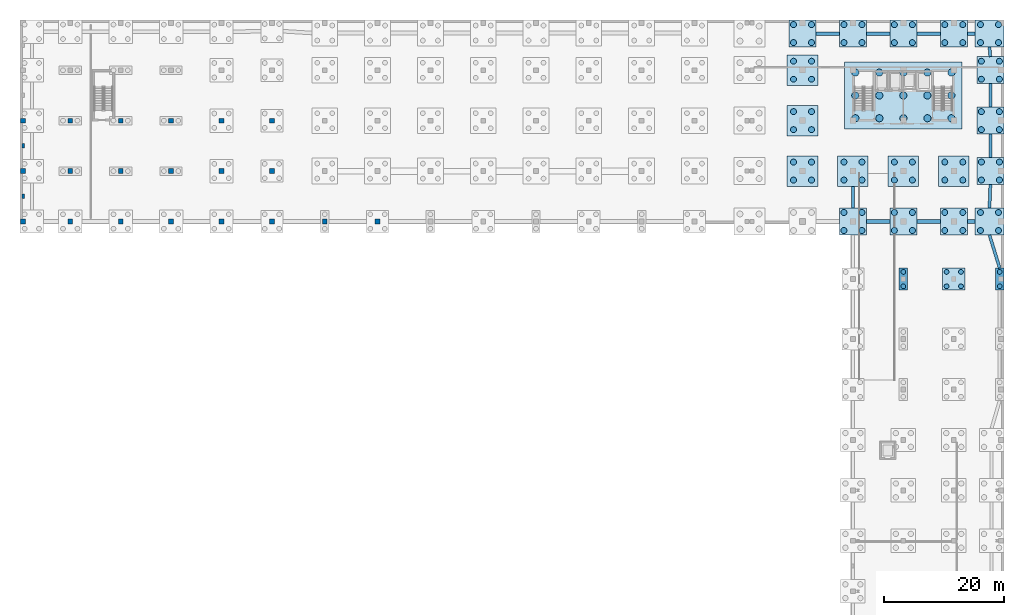
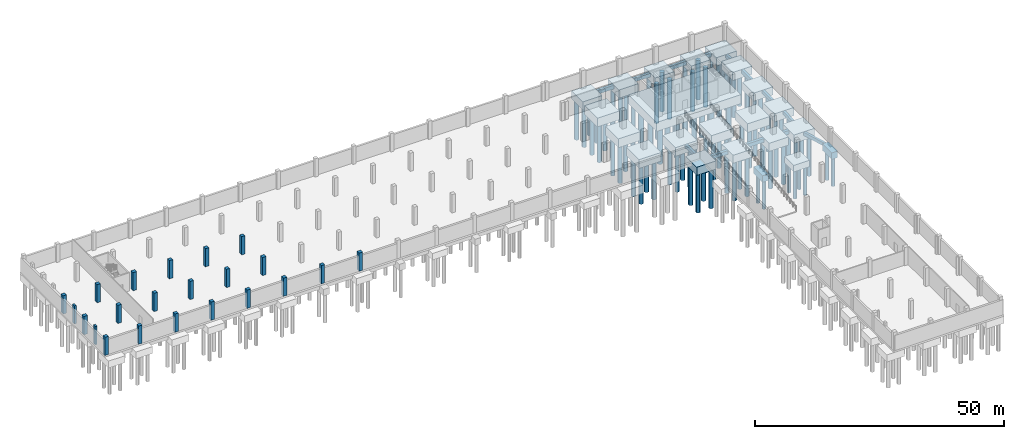
# One storey, part 4 of 18: 95 piles, 35 footings, 22 columns.
"""IFC4 building model written with IfcOpenShell, lengths in metres."""

from ifc_helpers import new_model, si_unit, direction, frame, origin, origin_2d, place, context, subcontext, project, spatial, rectangle, circle, extrude, material, material_profile, profile_set, type_object, element, save


model = new_model("IFC4")

# Units and contexts
model_context = context("Model", 3, precision=1e-05, world=origin(), true_north=direction((0.0, 1.0)))
body_context = subcontext(model_context, "Body", "Model", "MODEL_VIEW")
ifc_project = project(units=[si_unit("LENGTHUNIT", "METRE"), si_unit("AREAUNIT", "SQUARE_METRE"), si_unit("VOLUMEUNIT", "CUBIC_METRE"), si_unit("PLANEANGLEUNIT", "RADIAN"), si_unit("MASSUNIT", "GRAM", prefix="KILO")], contexts=[model_context])

# Site, building, storey
site_placement = place(None, origin())
site = spatial("IfcSite", under=ifc_project, at=site_placement, CompositionType="ELEMENT")
building_placement = place(site_placement, origin())
building = spatial("IfcBuilding", under=site, at=building_placement, Name="Brinegate Botanical Conservatory", CompositionType="ELEMENT")
storey_placement = place(building_placement, frame((0.0, 0.0, -9.60009765625)))
storey = spatial("IfcBuildingStorey", under=building, at=storey_placement, Name="B2", CompositionType="ELEMENT", Elevation=-9.60009765625)

# Footings
ifc_material_1 = material(Name="Concrete C40/50", Category="concrete")
ifc_material_profile_1 = material_profile(ifc_material_1, rectangle(XDim=0.60009765625, YDim=0.89990234375, at=origin_2d()), Name="RC GB 600x900")
ifc_profile_set_1 = profile_set([ifc_material_profile_1], Name="Concrete C40/50")
footing_type_1 = type_object("IfcFootingType", Name="Footing_FB-01", PredefinedType="FOOTING_BEAM", material=ifc_profile_set_1)
footing_1_placement = place(storey_placement, frame((141.050048828125, 78.39990234375, -0.849853515625), z_axis=(1.0, 0.0, 0.0), x_axis=(0.0, 1.0, 0.0)))
element("IfcFooting", 1, at=footing_1_placement, inside=storey, type_object=footing_type_1, Name="Foundation tie beam K:18-19", PredefinedType="FOOTING_BEAM", context=body_context, shape_type="SweptSolid", body=[
    extrude(rectangle(XDim=0.60009765625, YDim=0.89990234375, at=origin_2d()), origin(), (0.0, 0.0, 1.0), 3.89990234375),
])
footing_2_placement = place(storey_placement, frame((149.449951171875, 78.39990234375, -0.849853515625), z_axis=(1.0, 0.0, 0.0), x_axis=(0.0, 1.0, 0.0)))
element("IfcFooting", 2, at=footing_2_placement, inside=storey, type_object=footing_type_1, Name="Foundation tie beam K:19-20", PredefinedType="FOOTING_BEAM", context=body_context, shape_type="SweptSolid", body=[
    extrude(rectangle(XDim=0.60009765625, YDim=0.89990234375, at=origin_2d()), origin(), (0.0, 0.0, 1.0), 3.900146484375),
])
footing_3_placement = place(storey_placement, frame((157.85009765625, 78.39990234375, -0.849853515625), z_axis=(1.0, 0.0, 0.0), x_axis=(0.0, 1.0, 0.0)))
element("IfcFooting", 3, at=footing_3_placement, inside=storey, type_object=footing_type_1, Name="Foundation tie beam K:20-21", PredefinedType="FOOTING_BEAM", context=body_context, shape_type="SweptSolid", body=[
    extrude(rectangle(XDim=0.60009765625, YDim=0.89990234375, at=origin_2d()), origin(), (0.0, 0.0, 1.0), 1.2998046875),
])
footing_4_placement = place(storey_placement, frame((132.64990234375, 109.699951171875, -0.849853515625), z_axis=(1.0, 0.0, 0.0), x_axis=(0.0, 1.0, 0.0)))
element("IfcFooting", 4, at=footing_4_placement, inside=storey, type_object=footing_type_1, Name="Foundation tie beam P:17-18", PredefinedType="FOOTING_BEAM", context=body_context, shape_type="SweptSolid", body=[
    extrude(rectangle(XDim=0.60009765625, YDim=0.89990234375, at=origin_2d()), origin(), (0.0, 0.0, 1.0), 3.900146484375),
])
footing_5_placement = place(storey_placement, frame((141.050048828125, 109.699951171875, -0.849853515625), z_axis=(1.0, 0.0, 0.0), x_axis=(0.0, 1.0, 0.0)))
element("IfcFooting", 5, at=footing_5_placement, inside=storey, type_object=footing_type_1, Name="Foundation tie beam P:18-19", PredefinedType="FOOTING_BEAM", context=body_context, shape_type="SweptSolid", body=[
    extrude(rectangle(XDim=0.60009765625, YDim=0.89990234375, at=origin_2d()), origin(), (0.0, 0.0, 1.0), 3.89990234375),
])
footing_6_placement = place(storey_placement, frame((149.449951171875, 109.699951171875, -0.849853515625), z_axis=(1.0, 0.0, 0.0), x_axis=(0.0, 1.0, 0.0)))
element("IfcFooting", 6, at=footing_6_placement, inside=storey, type_object=footing_type_1, Name="Foundation tie beam P:19-20", PredefinedType="FOOTING_BEAM", context=body_context, shape_type="SweptSolid", body=[
    extrude(rectangle(XDim=0.60009765625, YDim=0.89990234375, at=origin_2d()), origin(), (0.0, 0.0, 1.0), 3.900146484375),
])
footing_7_placement = place(storey_placement, frame((157.85009765625, 109.699951171875, -0.849853515625), z_axis=(1.0, 0.0, 0.0), x_axis=(0.0, 1.0, 0.0)))
element("IfcFooting", 7, at=footing_7_placement, inside=storey, type_object=footing_type_1, Name="Foundation tie beam P:20-21", PredefinedType="FOOTING_BEAM", context=body_context, shape_type="SweptSolid", body=[
    extrude(rectangle(XDim=0.60009765625, YDim=0.89990234375, at=origin_2d()), origin(), (0.0, 0.0, 1.0), 1.2998046875),
])
ifc_material_profile_2 = material_profile(ifc_material_1, rectangle(XDim=0.5, YDim=0.800048828125, at=origin_2d()), Name="RC GB 500x800")
ifc_profile_set_2 = profile_set([ifc_material_profile_2], Name="Concrete C40/50")
footing_type_2 = type_object("IfcFootingType", Name="Footing_FB-02", PredefinedType="FOOTING_BEAM", material=ifc_profile_set_2)
footing_8_placement = place(storey_placement, frame((138.800048828125, 80.64990234375, -0.7998046875), z_axis=(0.0, 1.0, 0.0), x_axis=(-1.0, 0.0, 0.0)))
element("IfcFooting", 8, at=footing_8_placement, inside=storey, type_object=footing_type_2, Name="Foundation tie beam 18:K-L", PredefinedType="FOOTING_BEAM", context=body_context, shape_type="SweptSolid", body=[
    extrude(rectangle(XDim=0.5, YDim=0.800048828125, at=origin_2d()), origin(), (0.0, 0.0, 1.0), 3.60009765625),
])
footing_9_placement = place(storey_placement, frame((163.25, 70.64990234375, -0.7998046875), z_axis=(-0.295298528579, 0.955405034014, 0.0), x_axis=(-0.955405034014, -0.295298528579, 0.0)))
element("IfcFooting", 9, at=footing_9_placement, inside=storey, type_object=footing_type_2, Name="Foundation tie beam 21:J-K", PredefinedType="FOOTING_BEAM", context=body_context, shape_type="SweptSolid", body=[
    extrude(rectangle(XDim=0.5, YDim=0.800048828125, at=origin_2d()), origin(), (0.0, 0.0, 1.0), 5.7568359375),
])
footing_10_placement = place(storey_placement, frame((161.550048828125, 80.64990234375, -0.7998046875), z_axis=(0.03840669703, 0.99926219063, 0.0), x_axis=(-0.99926219063, 0.03840669703, 0.0)))
element("IfcFooting", 10, at=footing_10_placement, inside=storey, type_object=footing_type_2, Name="Foundation tie beam 21:K-L", PredefinedType="FOOTING_BEAM", context=body_context, shape_type="SweptSolid", body=[
    extrude(rectangle(XDim=0.5, YDim=0.800048828125, at=origin_2d()), origin(), (0.0, 0.0, 1.0), 3.903076171875),
])
footing_11_placement = place(storey_placement, frame((161.699951171875, 89.050048828125, -0.7998046875), z_axis=(0.0, 1.0, 0.0), x_axis=(-1.0, 0.0, 0.0)))
element("IfcFooting", 11, at=footing_11_placement, inside=storey, type_object=footing_type_2, Name="Foundation tie beam 21:L-M", PredefinedType="FOOTING_BEAM", context=body_context, shape_type="SweptSolid", body=[
    extrude(rectangle(XDim=0.5, YDim=0.800048828125, at=origin_2d()), origin(), (0.0, 0.0, 1.0), 3.89990234375),
])
footing_12_placement = place(storey_placement, frame((161.699951171875, 97.449951171875, -0.7998046875), z_axis=(0.0, 1.0, 0.0), x_axis=(-1.0, 0.0, 0.0)))
element("IfcFooting", 12, at=footing_12_placement, inside=storey, type_object=footing_type_2, Name="Foundation tie beam 21:M-N", PredefinedType="FOOTING_BEAM", context=body_context, shape_type="SweptSolid", body=[
    extrude(rectangle(XDim=0.5, YDim=0.800048828125, at=origin_2d()), origin(), (0.0, 0.0, 1.0), 3.900146484375),
])
footing_13_placement = place(storey_placement, frame((161.699951171875, 105.85009765625, -0.7998046875), z_axis=(-0.093288935474, 0.995639078441, 0.0), x_axis=(-0.995639078441, -0.093288935474, 0.0)))
element("IfcFooting", 13, at=footing_13_placement, inside=storey, type_object=footing_type_2, Name="Foundation tie beam 21:N-P", PredefinedType="FOOTING_BEAM", context=body_context, shape_type="SweptSolid", body=[
    extrude(rectangle(XDim=0.5, YDim=0.800048828125, at=origin_2d()), origin(), (0.0, 0.0, 1.0), 1.60693359375),
])
footing_type_3 = type_object("IfcFootingType", Name="Footing_PC-02", PredefinedType="PILE_CAP", material=ifc_material_1)
for number, where, z_axis, x_axis, name in (
    (14, (147.199951171875, 68.800048828125, -2.0), (0.0, 0.0, 1.0), (1.0, 0.0, 0.0), "Pile cap PC-02 at J-19"),
    (15, (163.25, 68.800048828125, -2.0), (0.0, 0.0, 1.0), (1.0, 0.0, 0.0), "Pile cap PC-02 at J-21"),
):
    element("IfcFooting", number, at=place(storey_placement, frame(where, z_axis=z_axis, x_axis=x_axis)), inside=storey, type_object=footing_type_3, Name=name, PredefinedType="PILE_CAP", context=body_context, shape_type="SweptSolid", body=[
        extrude(rectangle(XDim=1.39990234375, YDim=3.699951171875, at=origin_2d()), origin(), (0.0, 0.0, 1.0), 1.60009765625),
    ])
footing_type_4 = type_object("IfcFootingType", Name="Footing_PC-03", PredefinedType="PILE_CAP", material=ifc_material_1)
footing_14_placement = place(storey_placement, frame((155.60009765625, 68.800048828125, -2.0), z_axis=(0.0, 0.0, 1.0), x_axis=(1.0, 0.0, 0.0)))
element("IfcFooting", 16, at=footing_14_placement, inside=storey, type_object=footing_type_4, Name="Pile cap PC-03 at J-20", PredefinedType="PILE_CAP", context=body_context, shape_type="SweptSolid", body=[
    extrude(rectangle(XDim=3.699951171875, YDim=3.699951171875, at=origin_2d()), origin(), (0.0, 0.0, 1.0), 1.60009765625),
])
footing_type_5 = type_object("IfcFootingType", Name="Footing_PC-07", PredefinedType="PILE_CAP", material=ifc_material_1)
for number, where, z_axis, x_axis, name in (
    (17, (130.39990234375, 109.699951171875, -2.39990234375), (0.0, 0.0, 1.0), (1.0, 0.0, 0.0), "Pile cap PC-07 at P-17"),
    (18, (138.800048828125, 78.39990234375, -2.39990234375), (0.0, 0.0, 1.0), (1.0, 0.0, 0.0), "Pile cap PC-07 at K-18"),
    (19, (138.800048828125, 109.699951171875, -2.39990234375), (0.0, 0.0, 1.0), (1.0, 0.0, 0.0), "Pile cap PC-07 at P-18"),
    (20, (147.199951171875, 78.39990234375, -2.39990234375), (0.0, 0.0, 1.0), (1.0, 0.0, 0.0), "Pile cap PC-07 at K-19"),
    (21, (147.199951171875, 109.699951171875, -2.39990234375), (0.0, 0.0, 1.0), (1.0, 0.0, 0.0), "Pile cap PC-07 at P-19"),
    (22, (155.60009765625, 78.39990234375, -2.39990234375), (0.0, 0.0, 1.0), (1.0, 0.0, 0.0), "Pile cap PC-07 at K-20"),
    (23, (155.60009765625, 109.699951171875, -2.39990234375), (0.0, 0.0, 1.0), (1.0, 0.0, 0.0), "Pile cap PC-07 at P-20"),
    (24, (161.699951171875, 86.800048828125, -2.39990234375), (0.0, 0.0, 1.0), (1.0, 0.0, 0.0), "Pile cap PC-07 at L-21"),
    (25, (161.699951171875, 95.199951171875, -2.39990234375), (0.0, 0.0, 1.0), (1.0, 0.0, 0.0), "Pile cap PC-07 at M-21"),
    (26, (161.699951171875, 103.60009765625, -2.39990234375), (0.0, 0.0, 1.0), (1.0, 0.0, 0.0), "Pile cap PC-07 at N-21"),
):
    element("IfcFooting", number, at=place(storey_placement, frame(where, z_axis=z_axis, x_axis=x_axis)), inside=storey, type_object=footing_type_5, Name=name, PredefinedType="PILE_CAP", context=body_context, shape_type="SweptSolid", body=[
        extrude(rectangle(XDim=4.5, YDim=4.5, at=origin_2d()), origin(), (0.0, 0.0, 1.0), 2.0),
    ])
footing_type_6 = type_object("IfcFootingType", Name="Footing_PC-08", PredefinedType="PILE_CAP", material=ifc_material_1)
for number, where, z_axis, x_axis, name in (
    (27, (161.550048828125, 78.39990234375, -2.44970703125), (0.0, 0.0, 1.0), (1.0, 0.0, 0.0), "Pile cap PC-08 at K-21"),
    (28, (161.550048828125, 109.699951171875, -2.44970703125), (0.0, 0.0, 1.0), (1.0, 0.0, 0.0), "Pile cap PC-08 at P-21"),
):
    element("IfcFooting", number, at=place(storey_placement, frame(where, z_axis=z_axis, x_axis=x_axis)), inside=storey, type_object=footing_type_6, Name=name, PredefinedType="PILE_CAP", context=body_context, shape_type="SweptSolid", body=[
        extrude(rectangle(XDim=4.800048828125, YDim=4.5, at=origin_2d()), origin(), (0.0, 0.0, 1.0), 2.050048828125),
    ])
footing_type_7 = type_object("IfcFootingType", Name="Footing_PC-09", PredefinedType="PILE_CAP", material=ifc_material_1)
for number, where, z_axis, x_axis, name in (
    (29, (130.39990234375, 86.800048828125, -2.5498046875), (0.0, 0.0, 1.0), (1.0, 0.0, 0.0), "Pile cap PC-09 at L-17"),
    (30, (130.39990234375, 95.199951171875, -2.5498046875), (0.0, 0.0, 1.0), (1.0, 0.0, 0.0), "Pile cap PC-09 at M-17"),
    (31, (130.39990234375, 103.60009765625, -2.5498046875), (0.0, 0.0, 1.0), (1.0, 0.0, 0.0), "Pile cap PC-09 at N-17"),
    (32, (138.800048828125, 86.800048828125, -2.5498046875), (0.0, 0.0, 1.0), (1.0, 0.0, 0.0), "Pile cap PC-09 at L-18"),
    (33, (147.199951171875, 86.800048828125, -2.5498046875), (0.0, 0.0, 1.0), (1.0, 0.0, 0.0), "Pile cap PC-09 at L-19"),
    (34, (155.60009765625, 86.800048828125, -2.5498046875), (0.0, 0.0, 1.0), (1.0, 0.0, 0.0), "Pile cap PC-09 at L-20"),
):
    element("IfcFooting", number, at=place(storey_placement, frame(where, z_axis=z_axis, x_axis=x_axis)), inside=storey, type_object=footing_type_7, Name=name, PredefinedType="PILE_CAP", context=body_context, shape_type="SweptSolid", body=[
        extrude(rectangle(XDim=5.10009765625, YDim=5.10009765625, at=origin_2d()), origin(), (0.0, 0.0, 1.0), 2.14990234375),
    ])
footing_type_8 = type_object("IfcFootingType", Name="Footing_PC-CR1", PredefinedType="PILE_CAP", material=ifc_material_1)
footing_15_placement = place(storey_placement, frame((147.199951171875, 99.39990234375, -2.60009765625), z_axis=(0.0, 0.0, 1.0), x_axis=(1.0, 0.0, 0.0)))
element("IfcFooting", 35, at=footing_15_placement, inside=storey, type_object=footing_type_8, Name="Tower core pile raft cap PC-CR1", PredefinedType="PILE_CAP", context=body_context, shape_type="SweptSolid", body=[
    extrude(rectangle(XDim=19.60009765625, YDim=11.199951171875, at=origin_2d()), origin(), (0.0, 0.0, 1.0), 2.199951171875),
])

# Piles
ifc_material_profile_3 = material_profile(ifc_material_1, circle(Radius=0.5, at=origin_2d()), Name="PILE D1000")
ifc_profile_set_3 = profile_set([ifc_material_profile_3], Name="Concrete C40/50")
pile_type_1 = type_object("IfcPileType", Name="Pile_PL-1000", PredefinedType="BORED", material=ifc_profile_set_3)
for number, where, z_axis, x_axis, name in (
    (36, (128.89990234375, 85.300048828125, -2.449951171875), (0.0, 0.0, -1.0), (1.0, 0.0, 0.0), "Bored pile L-17.1"),
    (37, (131.89990234375, 85.300048828125, -2.449951171875), (0.0, 0.0, -1.0), (1.0, 0.0, 0.0), "Bored pile L-17.2"),
    (38, (128.89990234375, 88.300048828125, -2.449951171875), (0.0, 0.0, -1.0), (1.0, 0.0, 0.0), "Bored pile L-17.3"),
    (39, (131.89990234375, 88.300048828125, -2.449951171875), (0.0, 0.0, -1.0), (1.0, 0.0, 0.0), "Bored pile L-17.4"),
    (40, (128.89990234375, 93.699951171875, -2.449951171875), (0.0, 0.0, -1.0), (1.0, 0.0, 0.0), "Bored pile M-17.1"),
    (41, (131.89990234375, 93.699951171875, -2.449951171875), (0.0, 0.0, -1.0), (1.0, 0.0, 0.0), "Bored pile M-17.2"),
    (42, (128.89990234375, 96.699951171875, -2.449951171875), (0.0, 0.0, -1.0), (1.0, 0.0, 0.0), "Bored pile M-17.3"),
    (43, (131.89990234375, 96.699951171875, -2.449951171875), (0.0, 0.0, -1.0), (1.0, 0.0, 0.0), "Bored pile M-17.4"),
    (44, (128.89990234375, 102.10009765625, -2.449951171875), (0.0, 0.0, -1.0), (1.0, 0.0, 0.0), "Bored pile N-17.1"),
    (45, (131.89990234375, 102.10009765625, -2.449951171875), (0.0, 0.0, -1.0), (1.0, 0.0, 0.0), "Bored pile N-17.2"),
    (46, (128.89990234375, 105.10009765625, -2.449951171875), (0.0, 0.0, -1.0), (1.0, 0.0, 0.0), "Bored pile N-17.3"),
    (47, (131.89990234375, 105.10009765625, -2.449951171875), (0.0, 0.0, -1.0), (1.0, 0.0, 0.0), "Bored pile N-17.4"),
):
    element("IfcPile", number, at=place(storey_placement, frame(where, z_axis=z_axis, x_axis=x_axis)), inside=storey, type_object=pile_type_1, Name=name, PredefinedType="BORED", context=body_context, shape_type="SweptSolid", body=[
        extrude(circle(Radius=0.5, at=origin_2d()), origin(), (0.0, 0.0, 1.0), 9.550048828125),
    ])
for number, where, z_axis, x_axis, name in (
    (48, (128.89990234375, 108.199951171875, -2.2998046875), (0.0, 0.0, -1.0), (1.0, 0.0, 0.0), "Bored pile P-17.1"),
    (49, (131.89990234375, 108.199951171875, -2.2998046875), (0.0, 0.0, -1.0), (1.0, 0.0, 0.0), "Bored pile P-17.2"),
    (50, (128.89990234375, 111.199951171875, -2.2998046875), (0.0, 0.0, -1.0), (1.0, 0.0, 0.0), "Bored pile P-17.3"),
    (51, (131.89990234375, 111.199951171875, -2.2998046875), (0.0, 0.0, -1.0), (1.0, 0.0, 0.0), "Bored pile P-17.4"),
    (52, (137.300048828125, 76.89990234375, -2.2998046875), (0.0, 0.0, -1.0), (1.0, 0.0, 0.0), "Bored pile K-18.1"),
    (53, (140.300048828125, 76.89990234375, -2.2998046875), (0.0, 0.0, -1.0), (1.0, 0.0, 0.0), "Bored pile K-18.2"),
    (54, (137.300048828125, 79.89990234375, -2.2998046875), (0.0, 0.0, -1.0), (1.0, 0.0, 0.0), "Bored pile K-18.3"),
    (55, (140.300048828125, 79.89990234375, -2.2998046875), (0.0, 0.0, -1.0), (1.0, 0.0, 0.0), "Bored pile K-18.4"),
):
    element("IfcPile", number, at=place(storey_placement, frame(where, z_axis=z_axis, x_axis=x_axis)), inside=storey, type_object=pile_type_1, Name=name, PredefinedType="BORED", context=body_context, shape_type="SweptSolid", body=[
        extrude(circle(Radius=0.5, at=origin_2d()), origin(), (0.0, 0.0, 1.0), 9.699951171875),
    ])
for number, where, z_axis, x_axis, name in (
    (56, (137.300048828125, 85.300048828125, -2.449951171875), (0.0, 0.0, -1.0), (1.0, 0.0, 0.0), "Bored pile L-18.1"),
    (57, (140.300048828125, 85.300048828125, -2.449951171875), (0.0, 0.0, -1.0), (1.0, 0.0, 0.0), "Bored pile L-18.2"),
    (58, (137.300048828125, 88.300048828125, -2.449951171875), (0.0, 0.0, -1.0), (1.0, 0.0, 0.0), "Bored pile L-18.3"),
    (59, (140.300048828125, 88.300048828125, -2.449951171875), (0.0, 0.0, -1.0), (1.0, 0.0, 0.0), "Bored pile L-18.4"),
):
    element("IfcPile", number, at=place(storey_placement, frame(where, z_axis=z_axis, x_axis=x_axis)), inside=storey, type_object=pile_type_1, Name=name, PredefinedType="BORED", context=body_context, shape_type="SweptSolid", body=[
        extrude(circle(Radius=0.5, at=origin_2d()), origin(), (0.0, 0.0, 1.0), 9.550048828125),
    ])
for number, where, z_axis, x_axis, name in (
    (60, (137.300048828125, 108.199951171875, -2.2998046875), (0.0, 0.0, -1.0), (1.0, 0.0, 0.0), "Bored pile P-18.1"),
    (61, (140.300048828125, 108.199951171875, -2.2998046875), (0.0, 0.0, -1.0), (1.0, 0.0, 0.0), "Bored pile P-18.2"),
    (62, (137.300048828125, 111.199951171875, -2.2998046875), (0.0, 0.0, -1.0), (1.0, 0.0, 0.0), "Bored pile P-18.3"),
    (63, (140.300048828125, 111.199951171875, -2.2998046875), (0.0, 0.0, -1.0), (1.0, 0.0, 0.0), "Bored pile P-18.4"),
    (64, (145.699951171875, 76.89990234375, -2.2998046875), (0.0, 0.0, -1.0), (1.0, 0.0, 0.0), "Bored pile K-19.1"),
    (65, (148.699951171875, 76.89990234375, -2.2998046875), (0.0, 0.0, -1.0), (1.0, 0.0, 0.0), "Bored pile K-19.2"),
    (66, (145.699951171875, 79.89990234375, -2.2998046875), (0.0, 0.0, -1.0), (1.0, 0.0, 0.0), "Bored pile K-19.3"),
    (67, (148.699951171875, 79.89990234375, -2.2998046875), (0.0, 0.0, -1.0), (1.0, 0.0, 0.0), "Bored pile K-19.4"),
):
    element("IfcPile", number, at=place(storey_placement, frame(where, z_axis=z_axis, x_axis=x_axis)), inside=storey, type_object=pile_type_1, Name=name, PredefinedType="BORED", context=body_context, shape_type="SweptSolid", body=[
        extrude(circle(Radius=0.5, at=origin_2d()), origin(), (0.0, 0.0, 1.0), 9.699951171875),
    ])
for number, where, z_axis, x_axis, name in (
    (68, (145.699951171875, 85.300048828125, -2.449951171875), (0.0, 0.0, -1.0), (1.0, 0.0, 0.0), "Bored pile L-19.1"),
    (69, (148.699951171875, 85.300048828125, -2.449951171875), (0.0, 0.0, -1.0), (1.0, 0.0, 0.0), "Bored pile L-19.2"),
    (70, (145.699951171875, 88.300048828125, -2.449951171875), (0.0, 0.0, -1.0), (1.0, 0.0, 0.0), "Bored pile L-19.3"),
    (71, (148.699951171875, 88.300048828125, -2.449951171875), (0.0, 0.0, -1.0), (1.0, 0.0, 0.0), "Bored pile L-19.4"),
):
    element("IfcPile", number, at=place(storey_placement, frame(where, z_axis=z_axis, x_axis=x_axis)), inside=storey, type_object=pile_type_1, Name=name, PredefinedType="BORED", context=body_context, shape_type="SweptSolid", body=[
        extrude(circle(Radius=0.5, at=origin_2d()), origin(), (0.0, 0.0, 1.0), 9.550048828125),
    ])
for number, where, z_axis, x_axis, name in (
    (72, (145.699951171875, 108.199951171875, -2.2998046875), (0.0, 0.0, -1.0), (1.0, 0.0, 0.0), "Bored pile P-19.1"),
    (73, (148.699951171875, 108.199951171875, -2.2998046875), (0.0, 0.0, -1.0), (1.0, 0.0, 0.0), "Bored pile P-19.2"),
    (74, (145.699951171875, 111.199951171875, -2.2998046875), (0.0, 0.0, -1.0), (1.0, 0.0, 0.0), "Bored pile P-19.3"),
    (75, (148.699951171875, 111.199951171875, -2.2998046875), (0.0, 0.0, -1.0), (1.0, 0.0, 0.0), "Bored pile P-19.4"),
    (76, (154.10009765625, 76.89990234375, -2.2998046875), (0.0, 0.0, -1.0), (1.0, 0.0, 0.0), "Bored pile K-20.1"),
    (77, (157.10009765625, 76.89990234375, -2.2998046875), (0.0, 0.0, -1.0), (1.0, 0.0, 0.0), "Bored pile K-20.2"),
    (78, (154.10009765625, 79.89990234375, -2.2998046875), (0.0, 0.0, -1.0), (1.0, 0.0, 0.0), "Bored pile K-20.3"),
    (79, (157.10009765625, 79.89990234375, -2.2998046875), (0.0, 0.0, -1.0), (1.0, 0.0, 0.0), "Bored pile K-20.4"),
):
    element("IfcPile", number, at=place(storey_placement, frame(where, z_axis=z_axis, x_axis=x_axis)), inside=storey, type_object=pile_type_1, Name=name, PredefinedType="BORED", context=body_context, shape_type="SweptSolid", body=[
        extrude(circle(Radius=0.5, at=origin_2d()), origin(), (0.0, 0.0, 1.0), 9.699951171875),
    ])
for number, where, z_axis, x_axis, name in (
    (80, (154.10009765625, 85.300048828125, -2.449951171875), (0.0, 0.0, -1.0), (1.0, 0.0, 0.0), "Bored pile L-20.1"),
    (81, (157.10009765625, 85.300048828125, -2.449951171875), (0.0, 0.0, -1.0), (1.0, 0.0, 0.0), "Bored pile L-20.2"),
    (82, (154.10009765625, 88.300048828125, -2.449951171875), (0.0, 0.0, -1.0), (1.0, 0.0, 0.0), "Bored pile L-20.3"),
    (83, (157.10009765625, 88.300048828125, -2.449951171875), (0.0, 0.0, -1.0), (1.0, 0.0, 0.0), "Bored pile L-20.4"),
):
    element("IfcPile", number, at=place(storey_placement, frame(where, z_axis=z_axis, x_axis=x_axis)), inside=storey, type_object=pile_type_1, Name=name, PredefinedType="BORED", context=body_context, shape_type="SweptSolid", body=[
        extrude(circle(Radius=0.5, at=origin_2d()), origin(), (0.0, 0.0, 1.0), 9.550048828125),
    ])
for number, where, z_axis, x_axis, name in (
    (84, (154.10009765625, 108.199951171875, -2.2998046875), (0.0, 0.0, -1.0), (1.0, 0.0, 0.0), "Bored pile P-20.1"),
    (85, (157.10009765625, 108.199951171875, -2.2998046875), (0.0, 0.0, -1.0), (1.0, 0.0, 0.0), "Bored pile P-20.2"),
    (86, (154.10009765625, 111.199951171875, -2.2998046875), (0.0, 0.0, -1.0), (1.0, 0.0, 0.0), "Bored pile P-20.3"),
    (87, (157.10009765625, 111.199951171875, -2.2998046875), (0.0, 0.0, -1.0), (1.0, 0.0, 0.0), "Bored pile P-20.4"),
):
    element("IfcPile", number, at=place(storey_placement, frame(where, z_axis=z_axis, x_axis=x_axis)), inside=storey, type_object=pile_type_1, Name=name, PredefinedType="BORED", context=body_context, shape_type="SweptSolid", body=[
        extrude(circle(Radius=0.5, at=origin_2d()), origin(), (0.0, 0.0, 1.0), 9.699951171875),
    ])
for number, where, z_axis, x_axis, name in (
    (88, (160.050048828125, 76.89990234375, -2.349853515625), (0.0, 0.0, -1.0), (1.0, 0.0, 0.0), "Bored pile K-21.1"),
    (89, (163.050048828125, 76.89990234375, -2.349853515625), (0.0, 0.0, -1.0), (1.0, 0.0, 0.0), "Bored pile K-21.2"),
    (90, (160.050048828125, 79.89990234375, -2.349853515625), (0.0, 0.0, -1.0), (1.0, 0.0, 0.0), "Bored pile K-21.3"),
    (91, (163.050048828125, 79.89990234375, -2.349853515625), (0.0, 0.0, -1.0), (1.0, 0.0, 0.0), "Bored pile K-21.4"),
):
    element("IfcPile", number, at=place(storey_placement, frame(where, z_axis=z_axis, x_axis=x_axis)), inside=storey, type_object=pile_type_1, Name=name, PredefinedType="BORED", context=body_context, shape_type="SweptSolid", body=[
        extrude(circle(Radius=0.5, at=origin_2d()), origin(), (0.0, 0.0, 1.0), 9.64990234375),
    ])
for number, where, z_axis, x_axis, name in (
    (92, (160.199951171875, 85.300048828125, -2.2998046875), (0.0, 0.0, -1.0), (1.0, 0.0, 0.0), "Bored pile L-21.1"),
    (93, (163.199951171875, 85.300048828125, -2.2998046875), (0.0, 0.0, -1.0), (1.0, 0.0, 0.0), "Bored pile L-21.2"),
    (94, (160.199951171875, 88.300048828125, -2.2998046875), (0.0, 0.0, -1.0), (1.0, 0.0, 0.0), "Bored pile L-21.3"),
    (95, (163.199951171875, 88.300048828125, -2.2998046875), (0.0, 0.0, -1.0), (1.0, 0.0, 0.0), "Bored pile L-21.4"),
    (96, (160.199951171875, 93.699951171875, -2.2998046875), (0.0, 0.0, -1.0), (1.0, 0.0, 0.0), "Bored pile M-21.1"),
    (97, (163.199951171875, 93.699951171875, -2.2998046875), (0.0, 0.0, -1.0), (1.0, 0.0, 0.0), "Bored pile M-21.2"),
    (98, (160.199951171875, 96.699951171875, -2.2998046875), (0.0, 0.0, -1.0), (1.0, 0.0, 0.0), "Bored pile M-21.3"),
    (99, (163.199951171875, 96.699951171875, -2.2998046875), (0.0, 0.0, -1.0), (1.0, 0.0, 0.0), "Bored pile M-21.4"),
    (100, (160.199951171875, 102.10009765625, -2.2998046875), (0.0, 0.0, -1.0), (1.0, 0.0, 0.0), "Bored pile N-21.1"),
    (101, (163.199951171875, 102.10009765625, -2.2998046875), (0.0, 0.0, -1.0), (1.0, 0.0, 0.0), "Bored pile N-21.2"),
    (102, (160.199951171875, 105.10009765625, -2.2998046875), (0.0, 0.0, -1.0), (1.0, 0.0, 0.0), "Bored pile N-21.3"),
    (103, (163.199951171875, 105.10009765625, -2.2998046875), (0.0, 0.0, -1.0), (1.0, 0.0, 0.0), "Bored pile N-21.4"),
):
    element("IfcPile", number, at=place(storey_placement, frame(where, z_axis=z_axis, x_axis=x_axis)), inside=storey, type_object=pile_type_1, Name=name, PredefinedType="BORED", context=body_context, shape_type="SweptSolid", body=[
        extrude(circle(Radius=0.5, at=origin_2d()), origin(), (0.0, 0.0, 1.0), 9.699951171875),
    ])
for number, where, z_axis, x_axis, name in (
    (104, (160.050048828125, 108.199951171875, -2.349853515625), (0.0, 0.0, -1.0), (1.0, 0.0, 0.0), "Bored pile P-21.1"),
    (105, (163.050048828125, 108.199951171875, -2.349853515625), (0.0, 0.0, -1.0), (1.0, 0.0, 0.0), "Bored pile P-21.2"),
    (106, (160.050048828125, 111.199951171875, -2.349853515625), (0.0, 0.0, -1.0), (1.0, 0.0, 0.0), "Bored pile P-21.3"),
    (107, (163.050048828125, 111.199951171875, -2.349853515625), (0.0, 0.0, -1.0), (1.0, 0.0, 0.0), "Bored pile P-21.4"),
):
    element("IfcPile", number, at=place(storey_placement, frame(where, z_axis=z_axis, x_axis=x_axis)), inside=storey, type_object=pile_type_1, Name=name, PredefinedType="BORED", context=body_context, shape_type="SweptSolid", body=[
        extrude(circle(Radius=0.5, at=origin_2d()), origin(), (0.0, 0.0, 1.0), 9.64990234375),
    ])
ifc_material_profile_4 = material_profile(ifc_material_1, circle(Radius=0.60009765625, at=origin_2d()), Name="PILE D1200")
ifc_profile_set_4 = profile_set([ifc_material_profile_4], Name="Concrete C40/50")
pile_type_2 = type_object("IfcPileType", Name="Pile_PL-1200", PredefinedType="BORED", material=ifc_profile_set_4)
for number, where, z_axis, x_axis, name in (
    (108, (139.199951171875, 95.60009765625, -2.5), (0.0, 0.0, -1.0), (1.0, 0.0, 0.0), "Core bored pile PL-1200 1.1"),
    (109, (139.199951171875, 99.39990234375, -2.5), (0.0, 0.0, -1.0), (1.0, 0.0, 0.0), "Core bored pile PL-1200 1.2"),
    (110, (139.199951171875, 103.199951171875, -2.5), (0.0, 0.0, -1.0), (1.0, 0.0, 0.0), "Core bored pile PL-1200 1.3"),
    (111, (143.199951171875, 95.60009765625, -2.5), (0.0, 0.0, -1.0), (1.0, 0.0, 0.0), "Core bored pile PL-1200 2.1"),
    (112, (143.199951171875, 99.39990234375, -2.5), (0.0, 0.0, -1.0), (1.0, 0.0, 0.0), "Core bored pile PL-1200 2.2"),
    (113, (143.199951171875, 103.199951171875, -2.5), (0.0, 0.0, -1.0), (1.0, 0.0, 0.0), "Core bored pile PL-1200 2.3"),
    (114, (147.199951171875, 95.60009765625, -2.5), (0.0, 0.0, -1.0), (1.0, 0.0, 0.0), "Core bored pile PL-1200 3.1"),
    (115, (147.199951171875, 99.39990234375, -2.5), (0.0, 0.0, -1.0), (1.0, 0.0, 0.0), "Core bored pile PL-1200 3.2"),
    (116, (147.199951171875, 103.199951171875, -2.5), (0.0, 0.0, -1.0), (1.0, 0.0, 0.0), "Core bored pile PL-1200 3.3"),
    (117, (151.199951171875, 95.60009765625, -2.5), (0.0, 0.0, -1.0), (1.0, 0.0, 0.0), "Core bored pile PL-1200 4.1"),
    (118, (151.199951171875, 99.39990234375, -2.5), (0.0, 0.0, -1.0), (1.0, 0.0, 0.0), "Core bored pile PL-1200 4.2"),
    (119, (151.199951171875, 103.199951171875, -2.5), (0.0, 0.0, -1.0), (1.0, 0.0, 0.0), "Core bored pile PL-1200 4.3"),
    (120, (155.199951171875, 95.60009765625, -2.5), (0.0, 0.0, -1.0), (1.0, 0.0, 0.0), "Core bored pile PL-1200 5.1"),
    (121, (155.199951171875, 99.39990234375, -2.5), (0.0, 0.0, -1.0), (1.0, 0.0, 0.0), "Core bored pile PL-1200 5.2"),
    (122, (155.199951171875, 103.199951171875, -2.5), (0.0, 0.0, -1.0), (1.0, 0.0, 0.0), "Core bored pile PL-1200 5.3"),
):
    element("IfcPile", number, at=place(storey_placement, frame(where, z_axis=z_axis, x_axis=x_axis)), inside=storey, type_object=pile_type_2, Name=name, PredefinedType="BORED", context=body_context, shape_type="SweptSolid", body=[
        extrude(circle(Radius=0.60009765625, at=origin_2d()), origin(), (0.0, 0.0, 1.0), 9.5),
    ])
ifc_material_profile_5 = material_profile(ifc_material_1, circle(Radius=0.39990234375, at=origin_2d()), Name="PILE D800")
ifc_profile_set_5 = profile_set([ifc_material_profile_5], Name="Concrete C40/50")
pile_type_3 = type_object("IfcPileType", Name="Pile_PL-800", PredefinedType="BORED", material=ifc_profile_set_5)
for number, where, z_axis, x_axis, name in (
    (123, (147.199951171875, 67.60009765625, -1.89990234375), (0.0, 0.0, -1.0), (1.0, 0.0, 0.0), "Bored pile J-19.1"),
    (124, (147.199951171875, 70.0, -1.89990234375), (0.0, 0.0, -1.0), (1.0, 0.0, 0.0), "Bored pile J-19.2"),
    (125, (154.39990234375, 67.60009765625, -1.89990234375), (0.0, 0.0, -1.0), (1.0, 0.0, 0.0), "Bored pile J-20.1"),
    (126, (156.800048828125, 67.60009765625, -1.89990234375), (0.0, 0.0, -1.0), (1.0, 0.0, 0.0), "Bored pile J-20.2"),
    (127, (154.39990234375, 70.0, -1.89990234375), (0.0, 0.0, -1.0), (1.0, 0.0, 0.0), "Bored pile J-20.3"),
    (128, (156.800048828125, 70.0, -1.89990234375), (0.0, 0.0, -1.0), (1.0, 0.0, 0.0), "Bored pile J-20.4"),
    (129, (163.25, 67.60009765625, -1.89990234375), (0.0, 0.0, -1.0), (1.0, 0.0, 0.0), "Bored pile J-21.1"),
    (130, (163.25, 70.0, -1.89990234375), (0.0, 0.0, -1.0), (1.0, 0.0, 0.0), "Bored pile J-21.2"),
):
    element("IfcPile", number, at=place(storey_placement, frame(where, z_axis=z_axis, x_axis=x_axis)), inside=storey, type_object=pile_type_3, Name=name, PredefinedType="BORED", context=body_context, shape_type="SweptSolid", body=[
        extrude(circle(Radius=0.39990234375, at=origin_2d()), origin(), (0.0, 0.0, 1.0), 7.10009765625),
    ])

# Columns
ifc_material_profile_6 = material_profile(ifc_material_1, rectangle(XDim=0.800048828125, YDim=0.800048828125, at=origin_2d()), Name="RC COL 800x800")
ifc_profile_set_6 = profile_set([ifc_material_profile_6], Name="Concrete C40/50")
column_type_1 = type_object("IfcColumnType", Name="Col_C-W1", PredefinedType="COLUMN", material=ifc_profile_set_6)
for number, where, z_axis, x_axis, name in (
    (131, (0.550048828125, 78.39990234375, 0.0), (0.0, 0.0, 1.0), (1.0, 0.0, 0.0), "Column C-W1 B2 K-1"),
    (132, (0.550048828125, 86.800048828125, 0.0), (0.0, 0.0, 1.0), (1.0, 0.0, 0.0), "Column C-W1 B2 L-1"),
    (133, (0.550048828125, 95.199951171875, 0.0), (0.0, 0.0, 1.0), (1.0, 0.0, 0.0), "Column C-W1 B2 M-1"),
    (134, (8.39990234375, 78.39990234375, 0.0), (0.0, 0.0, 1.0), (1.0, 0.0, 0.0), "Column C-W1 B2 K-2"),
    (135, (8.39990234375, 86.800048828125, 0.0), (0.0, 0.0, 1.0), (1.0, 0.0, 0.0), "Column C-W1 B2 L-2"),
    (136, (8.39990234375, 95.199951171875, 0.0), (0.0, 0.0, 1.0), (1.0, 0.0, 0.0), "Column C-W1 B2 M-2"),
    (137, (16.800048828125, 78.39990234375, 0.0), (0.0, 0.0, 1.0), (1.0, 0.0, 0.0), "Column C-W1 B2 K-3"),
    (138, (16.800048828125, 86.800048828125, 0.0), (0.0, 0.0, 1.0), (1.0, 0.0, 0.0), "Column C-W1 B2 L-3"),
    (139, (16.800048828125, 95.199951171875, 0.0), (0.0, 0.0, 1.0), (1.0, 0.0, 0.0), "Column C-W1 B2 M-3"),
    (140, (25.199951171875, 78.39990234375, 0.0), (0.0, 0.0, 1.0), (1.0, 0.0, 0.0), "Column C-W1 B2 K-4"),
    (141, (25.199951171875, 86.800048828125, 0.0), (0.0, 0.0, 1.0), (1.0, 0.0, 0.0), "Column C-W1 B2 L-4"),
    (142, (25.199951171875, 95.199951171875, 0.0), (0.0, 0.0, 1.0), (1.0, 0.0, 0.0), "Column C-W1 B2 M-4"),
    (143, (33.60009765625, 78.39990234375, 0.0), (0.0, 0.0, 1.0), (1.0, 0.0, 0.0), "Column C-W1 B2 K-5"),
    (144, (33.60009765625, 86.800048828125, 0.0), (0.0, 0.0, 1.0), (1.0, 0.0, 0.0), "Column C-W1 B2 L-5"),
    (145, (33.60009765625, 95.199951171875, 0.0), (0.0, 0.0, 1.0), (1.0, 0.0, 0.0), "Column C-W1 B2 M-5"),
    (146, (42.0, 78.39990234375, 0.0), (0.0, 0.0, 1.0), (1.0, 0.0, 0.0), "Column C-W1 B2 K-6"),
    (147, (42.0, 86.800048828125, 0.0), (0.0, 0.0, 1.0), (1.0, 0.0, 0.0), "Column C-W1 B2 L-6"),
    (148, (42.0, 95.199951171875, 0.0), (0.0, 0.0, 1.0), (1.0, 0.0, 0.0), "Column C-W1 B2 M-6"),
    (149, (50.800048828125, 78.39990234375, 0.0), (0.0, 0.0, 1.0), (1.0, 0.0, 0.0), "Column C-W1 B2 K-7"),
    (150, (59.60009765625, 78.39990234375, 0.0), (0.0, 0.0, 1.0), (1.0, 0.0, 0.0), "Column C-W1 B2 K-8"),
):
    element("IfcColumn", number, at=place(storey_placement, frame(where, z_axis=z_axis, x_axis=x_axis)), inside=storey, type_object=column_type_1, Name=name, PredefinedType="COLUMN", context=body_context, shape_type="SweptSolid", body=[
        extrude(rectangle(XDim=0.800048828125, YDim=0.800048828125, at=origin_2d()), origin(), (0.0, 0.0, 1.0), 4.47998046875),
    ])
ifc_material_2 = material(Name="Concrete C50/60", Category="concrete")
ifc_material_profile_7 = material_profile(ifc_material_2, rectangle(XDim=0.449951171875, YDim=0.75, at=origin_2d()), Name="RC PILASTER 450x750")
ifc_profile_set_7 = profile_set([ifc_material_profile_7], Name="Concrete C50/60")
column_type_2 = type_object("IfcColumnType", Name="Col_PL-W1", PredefinedType="PILASTER", material=ifc_profile_set_7)
for number, where, z_axis, x_axis, name in (
    (151, (0.550048828125, 82.60009765625, 0.0), (0.0, 0.0, 1.0), (1.0, 0.0, 0.0), "Warehouse pilaster PL-W1 B2 PL-W-V1A"),
    (152, (0.550048828125, 91.0, 0.0), (0.0, 0.0, 1.0), (1.0, 0.0, 0.0), "Warehouse pilaster PL-W1 B2 PL-W-V1B"),
):
    element("IfcColumn", number, at=place(storey_placement, frame(where, z_axis=z_axis, x_axis=x_axis)), inside=storey, type_object=column_type_2, Name=name, PredefinedType="PILASTER", context=body_context, shape_type="SweptSolid", body=[
        extrude(rectangle(XDim=0.449951171875, YDim=0.75, at=origin_2d()), origin(), (0.0, 0.0, 1.0), 4.47998046875),
    ])

save(model, "model.ifc")
